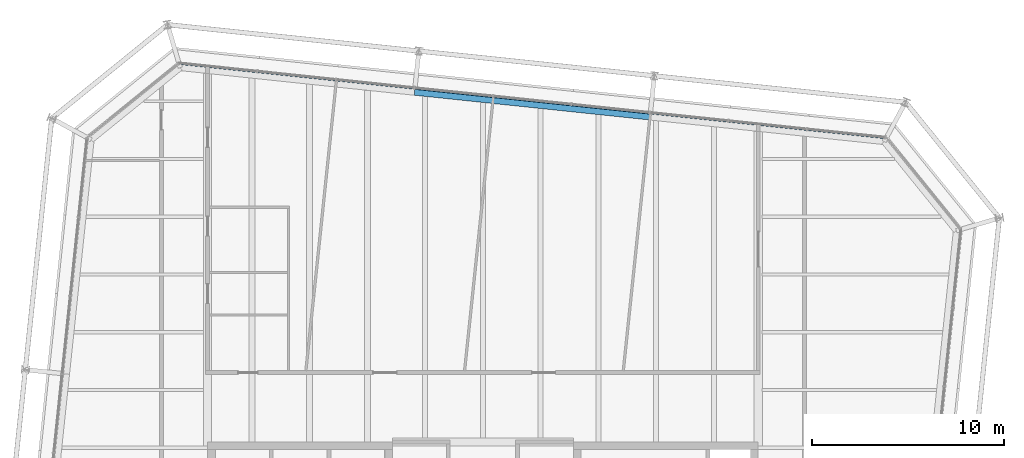
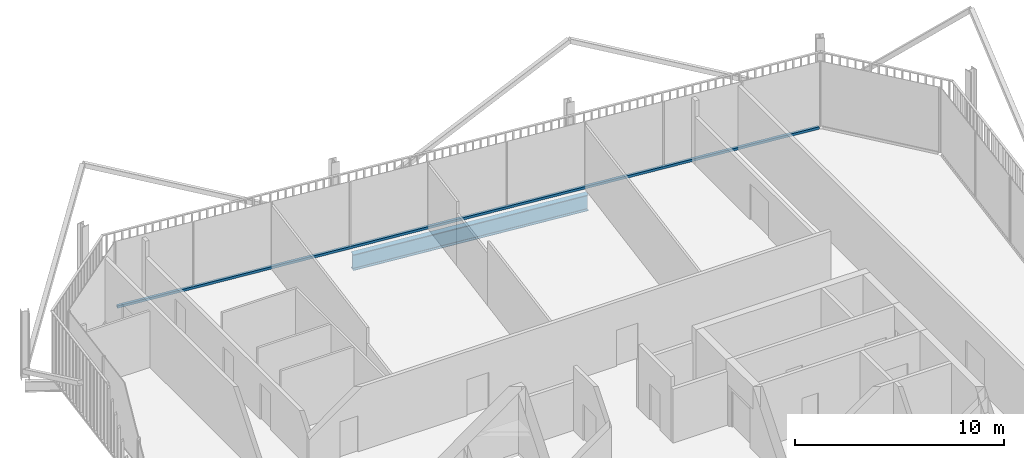
# One storey, part 13 of 21: 1 beam, 1 member, 1 element without a shape of its own.
"""IFC4 building model written with IfcOpenShell, lengths in metres."""

from ifc_helpers import new_model, si_unit, direction, frame, origin, origin_2d, place, context, subcontext, project, spatial, rectangle, i_section, extrude, material, layer, layer_set, material_profile, profile_set, type_object, element, aggregate, save


model = new_model("IFC4")

# Units and contexts
model_context = context("Model", 3, precision=1e-05, world=origin(), true_north=direction((0.0, 1.0)))
body_context = subcontext(model_context, "Body", "Model", "MODEL_VIEW")
ifc_project = project(units=[si_unit("LENGTHUNIT", "METRE"), si_unit("AREAUNIT", "SQUARE_METRE"), si_unit("VOLUMEUNIT", "CUBIC_METRE"), si_unit("PLANEANGLEUNIT", "RADIAN"), si_unit("MASSUNIT", "GRAM", prefix="KILO")], contexts=[model_context])

# Site, building, storey
site_placement = place(None, origin())
site = spatial("IfcSite", under=ifc_project, at=site_placement, CompositionType="ELEMENT")
building_placement = place(site_placement, origin())
building = spatial("IfcBuilding", under=site, at=building_placement, Name="Millrace Tower", CompositionType="ELEMENT")
storey_placement = place(building_placement, frame((0.0, 0.0, 334.300048828125)))
storey = spatial("IfcBuildingStorey", under=building, at=storey_placement, Name="L77", CompositionType="ELEMENT", Elevation=334.300048828125)

# Curtain wall, member
ifc_material_1 = material(Name="Aluminium and glass", Category="aluminium")
ifc_layer = layer(ifc_material_1, 0.14990234375)
ifc_layer_set = layer_set([ifc_layer], Name="Aluminium and glass")
curtain_wall_type = type_object("IfcCurtainWallType", Name="CW-1 office vision curtain wall", PredefinedType="NOTDEFINED", material=ifc_layer_set)
curtain_wall_placement = place(storey_placement, origin())
curtain_wall = element("IfcCurtainWall", 1, at=curtain_wall_placement, inside=storey, type_object=curtain_wall_type, Name="Curtain wall E-F06 L77", PredefinedType="NOTDEFINED")
ifc_material_2 = material(Name="Aluminium", Category="aluminium")
ifc_material_profile_1 = material_profile(ifc_material_2, rectangle(XDim=0.14990234375, YDim=0.139892578125, at=origin_2d()))
ifc_profile_set_1 = profile_set([ifc_material_profile_1], Name="Aluminium")
member_type = type_object("IfcMemberType", Name="CW-1 office vision curtain wall transom", PredefinedType="USERDEFINED", material=ifc_profile_set_1)
member_placement = place(storey_placement, frame((20.83544921875, 25.1318359375, 0.070068359375), z_axis=(-0.994521952886, 0.104527916025, 0.0), x_axis=(-0.104527916025, -0.994521952886, 0.0)))
member = element("IfcMember", 2, at=member_placement, type_object=member_type, Name="CW1 transom E-F06.1", ObjectType="TRANSOM", PredefinedType="USERDEFINED", context=body_context, shape_type="SweptSolid", body=[
    extrude(rectangle(XDim=0.14990234375, YDim=0.139892578125, at=origin_2d()), origin(), (0.0, 0.0, 1.0), 36.699951171875),
])
aggregate(curtain_wall, [member])

# Beam
ifc_material_3 = material(Name="Steel ASTM A992 Grade 50", Category="steel")
ifc_material_profile_2 = material_profile(ifc_material_3, i_section(OverallWidth=0.307373046875, OverallDepth=0.927001953125, WebThickness=0.01953125, FlangeThickness=0.031982421875, FilletRadius=0.01904296875, at=origin_2d()))
ifc_profile_set_2 = profile_set([ifc_material_profile_2], Name="Steel ASTM A992 Grade 50")
beam_type = type_object("IfcBeamType", Name="Ring beam medium span W36x194", PredefinedType="SPANDREL", material=ifc_profile_set_2)
beam_placement = place(storey_placement, frame((-3.554443359375, 27.46533203125, -0.62353515625), z_axis=(0.994522406476, -0.104523600289, 0.0), x_axis=(0.104523600289, 0.994522406476, 0.0)))
element("IfcBeam", 3, at=beam_placement, inside=storey, type_object=beam_type, Name="RNG-E-L77-S1-06", PredefinedType="SPANDREL", context=body_context, shape_type="SweptSolid", body=[
    extrude(i_section(OverallWidth=0.307373046875, OverallDepth=0.927001953125, WebThickness=0.01953125, FlangeThickness=0.031982421875, FilletRadius=0.01904296875, at=origin_2d()), origin(), (0.0, 0.0, 1.0), 12.300048828125),
])

save(model, "model.ifc")
